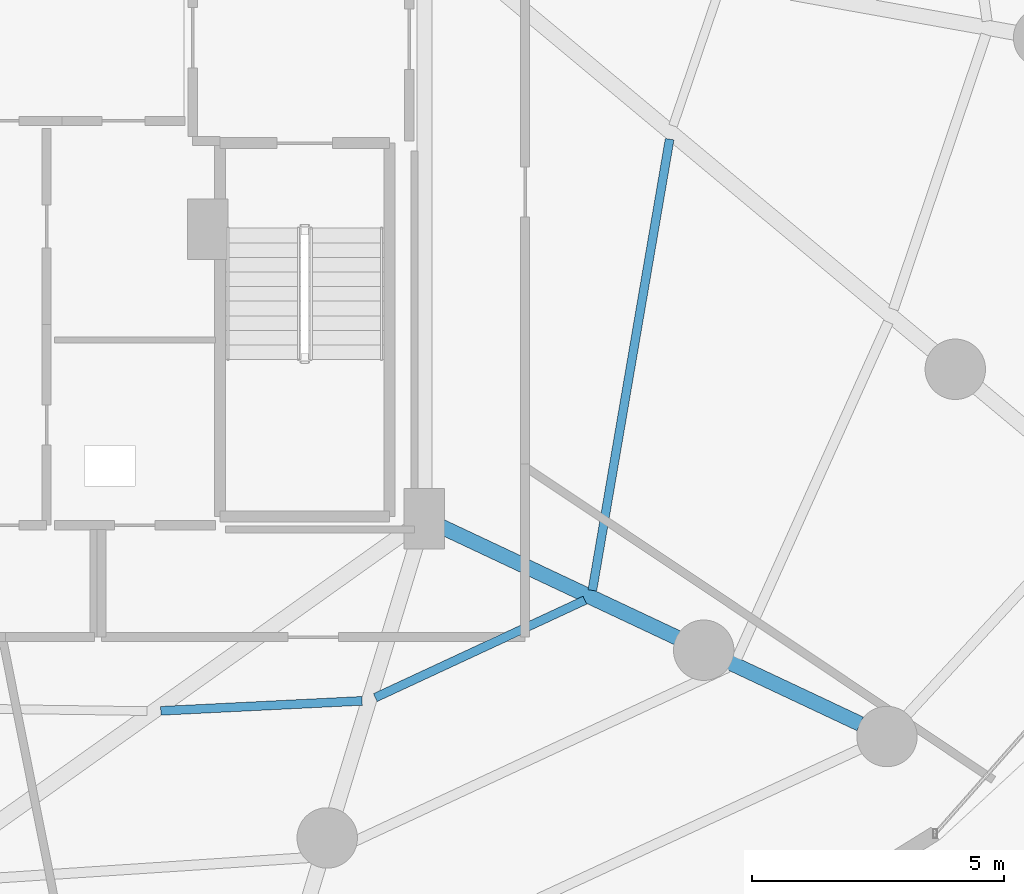
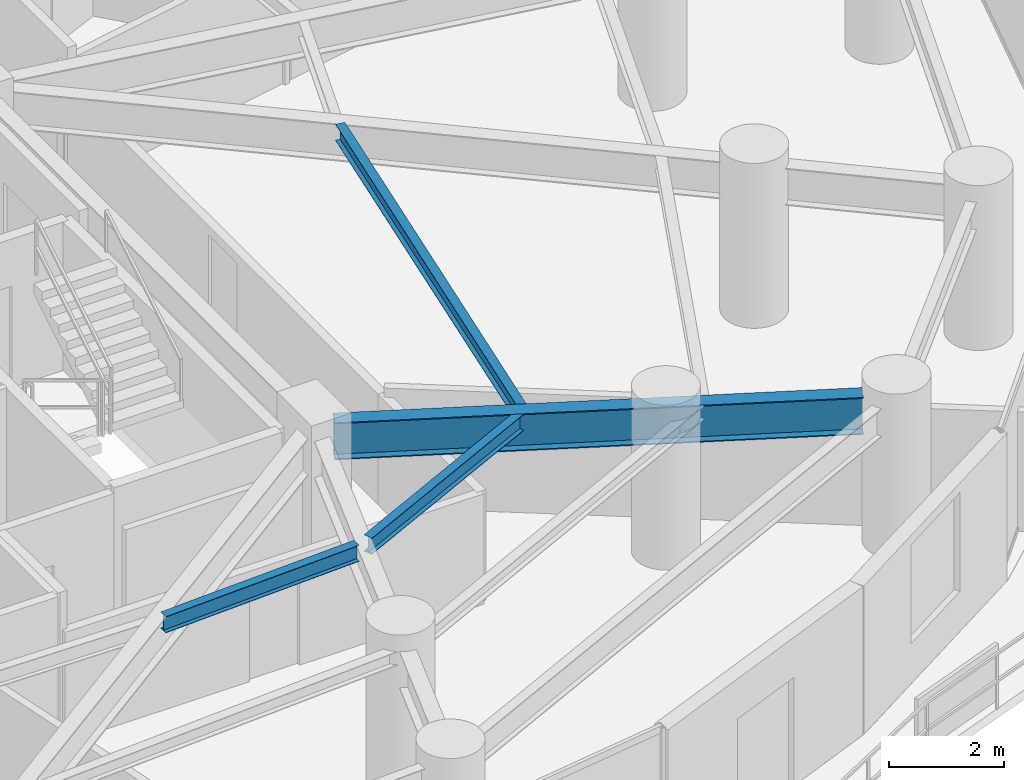
# One storey, part 13 of 34: 4 beams.
"""IFC4 building model written with IfcOpenShell, lengths in metres."""

from ifc_helpers import new_model, si_unit, direction, frame, origin, origin_2d, place, context, subcontext, project, spatial, i_section, extrude, material, material_profile, profile_set, type_object, element, save


model = new_model("IFC4")

# Units and contexts
model_context = context("Model", 3, precision=1e-05, world=origin(), true_north=direction((0.0, 1.0)))
body_context = subcontext(model_context, "Body", "Model", "MODEL_VIEW")
ifc_project = project(units=[si_unit("LENGTHUNIT", "METRE"), si_unit("AREAUNIT", "SQUARE_METRE"), si_unit("VOLUMEUNIT", "CUBIC_METRE"), si_unit("PLANEANGLEUNIT", "RADIAN"), si_unit("MASSUNIT", "GRAM", prefix="KILO")], contexts=[model_context])

# Site, building, storey
site_placement = place(None, origin())
site = spatial("IfcSite", under=ifc_project, at=site_placement, CompositionType="ELEMENT")
building_placement = place(site_placement, origin())
building = spatial("IfcBuilding", under=site, at=building_placement, Name="Vorneva Point Tower", CompositionType="ELEMENT")
storey_placement = place(building_placement, frame((0.0, 0.0, 66.0)))
storey = spatial("IfcBuildingStorey", under=building, at=storey_placement, Name="L17", CompositionType="ELEMENT", Elevation=66.0)

# Beams
ifc_material = material(Name="Steel S355", Category="steel")
ifc_material_profile_1 = material_profile(ifc_material, i_section(OverallWidth=0.300048828125, OverallDepth=0.7880859375, WebThickness=0.014404296875, FlangeThickness=0.02197265625, at=origin_2d()), Name="80Sh1")
ifc_profile_set_1 = profile_set([ifc_material_profile_1], Name="Steel S355")
beam_type_1 = type_object("IfcBeamType", Name="BM-GRD-80Sh1", PredefinedType="USERDEFINED", material=ifc_profile_set_1)
beam_1_placement = place(storey_placement, frame((57.40673828125, 12.37451171875, 2.756103515625), z_axis=(-0.904749139553, 0.425944825627, 0.0), x_axis=(-0.425944825627, -0.904749139553, 0.0)))
element("IfcBeam", 1, at=beam_1_placement, inside=storey, type_object=beam_type_1, Name="L17 Radial Primary Girder 15", ObjectType="GIRDER", PredefinedType="USERDEFINED", context=body_context, shape_type="SweptSolid", body=[
    extrude(i_section(OverallWidth=0.300048828125, OverallDepth=0.7880859375, WebThickness=0.014404296875, FlangeThickness=0.02197265625, at=origin_2d()), origin(), (0.0, 0.0, 1.0), 9.22802734375),
])
ifc_material_profile_2 = material_profile(ifc_material, i_section(OverallWidth=0.174072265625, OverallDepth=0.345947265625, WebThickness=0.006103515625, FlangeThickness=0.009033203125, at=origin_2d()), Name="35B1")
ifc_profile_set_2 = profile_set([ifc_material_profile_2], Name="Steel S355")
beam_type_2 = type_object("IfcBeamType", Name="BM-SEC-35B1", PredefinedType="BEAM", material=ifc_profile_set_2)
beam_2_placement = place(storey_placement, frame((43.515625, 12.6337890625, 2.97705078125), z_axis=(0.998772788501, 0.049526931558, 0.0), x_axis=(-0.049526931558, 0.998772788501, 0.0)))
element("IfcBeam", 2, at=beam_2_placement, inside=storey, type_object=beam_type_2, Name="L17 Secondary Floor Beam 2.13", PredefinedType="BEAM", context=body_context, shape_type="SweptSolid", body=[
    extrude(i_section(OverallWidth=0.174072265625, OverallDepth=0.345947265625, WebThickness=0.006103515625, FlangeThickness=0.009033203125, at=origin_2d()), origin(), (0.0, 0.0, 1.0), 4.002685546875),
])
beam_3_placement = place(storey_placement, frame((47.776611328125, 12.897216796875, 2.97705078125), z_axis=(0.906780239471, 0.421603602101, 0.0), x_axis=(-0.421603602101, 0.906780239471, 0.0)))
element("IfcBeam", 3, at=beam_3_placement, inside=storey, type_object=beam_type_2, Name="L17 Secondary Floor Beam 2.14", PredefinedType="BEAM", context=body_context, shape_type="SweptSolid", body=[
    extrude(i_section(OverallWidth=0.174072265625, OverallDepth=0.345947265625, WebThickness=0.006103515625, FlangeThickness=0.009033203125, at=origin_2d()), origin(), (0.0, 0.0, 1.0), 4.589111328125),
])
beam_4_placement = place(storey_placement, frame((52.086669921875, 15.026123046875, 2.97705078125), z_axis=(0.168852015021, 0.985641414016, 0.0), x_axis=(-0.985641414016, 0.168852015021, 0.0)))
element("IfcBeam", 4, at=beam_4_placement, inside=storey, type_object=beam_type_2, Name="L17 Secondary Floor Beam 2.15", PredefinedType="BEAM", context=body_context, shape_type="SweptSolid", body=[
    extrude(i_section(OverallWidth=0.174072265625, OverallDepth=0.345947265625, WebThickness=0.006103515625, FlangeThickness=0.009033203125, at=origin_2d()), origin(), (0.0, 0.0, 1.0), 9.091796875),
])

save(model, "model.ifc")
